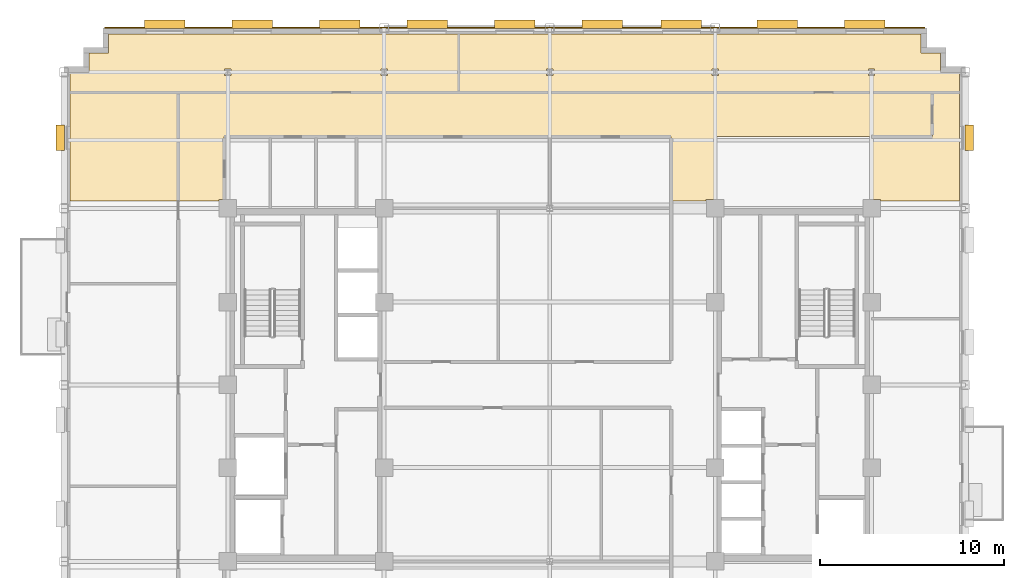
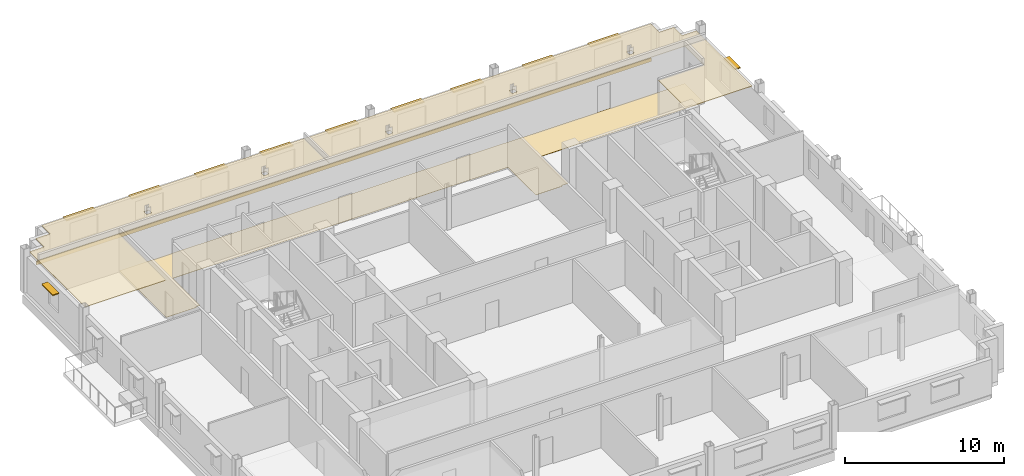
# One storey, part 15 of 15: 11 shading devices, 6 coverings.
"""IFC4 building model written with IfcOpenShell, lengths in metres."""

import ifcopenshell
import ifcopenshell.guid

model = None  # the IFC model being written
_history = None  # IfcOwnerHistory: only IFC2X3 demands one
_inside = {}  # id of a spatial element -> (the spatial element, [elements in it])
_under = {}  # id of a project, library or spatial element -> (it, [spatial elements below it])
_declared = {}  # id of a project -> (the project, [libraries it declares])
_typed = {}  # id of a type object -> (the type object, [elements of that type])
_made_of = {}  # id of a material, layer set ... -> (it, [elements and type objects made of it])


def new_model(schema):
    """Start an empty IFC model of exactly this schema.

    Asked for "IFC4X3", IfcOpenShell would pick the latest addendum, in which some entities
    have other attributes; the version numbers below select the first issue.
    IFC2X3 requires an IfcOwnerHistory on every rooted entity: one is made here for all.
    """
    global model, _history
    if schema == "IFC4X3":
        model = ifcopenshell.file(schema_version=(4, 3, 0, 0))
    else:
        model = ifcopenshell.file(schema=schema)
    _inside.clear()
    _under.clear()
    _declared.clear()
    _typed.clear()
    _made_of.clear()
    _history = None
    if model.schema == "IFC2X3":
        org = make("IfcOrganization", Name="unknown")
        user = make(
            "IfcPersonAndOrganization",
            ThePerson=make("IfcPerson", FamilyName="unknown"),
            TheOrganization=org,
        )
        app = make(
            "IfcApplication",
            ApplicationDeveloper=org,
            Version="unknown",
            ApplicationFullName="unknown",
            ApplicationIdentifier="unknown",
        )
        _history = make(
            "IfcOwnerHistory",
            OwningUser=user,
            OwningApplication=app,
            ChangeAction="ADDED",
            CreationDate=0,
        )
    return model


def make(cls, **values):
    """One entity of the class cls with the attributes given. An attribute that is None is left unset."""
    return model.create_entity(
        cls, **{name: value for name, value in values.items() if value is not None}
    )


def rooted(cls, **values):
    """An entity with a GlobalId (a new one), such as an element, a storey or a relation."""
    return make(cls, GlobalId=ifcopenshell.guid.new(), OwnerHistory=_history, **values)


def si_unit(unit_type, name, prefix=None):
    """IfcSIUnit, for example si_unit("LENGTHUNIT", "METRE", prefix="MILLI")."""
    return make("IfcSIUnit", UnitType=unit_type, Prefix=prefix, Name=name)


def assignment(units):
    """IfcUnitAssignment: the units of a project."""
    return None if units is None else make("IfcUnitAssignment", Units=units)


def point(xyz):
    """IfcCartesianPoint."""
    return None if xyz is None else make("IfcCartesianPoint", Coordinates=xyz)


def direction(xyz):
    """IfcDirection."""
    return None if xyz is None else make("IfcDirection", DirectionRatios=xyz)


def frame(location, z_axis=None, x_axis=None):
    """IfcAxis2Placement3D, a coordinate frame: its origin and axes. An axis left out is left unset."""
    return make(
        "IfcAxis2Placement3D",
        Location=point(location),
        Axis=direction(z_axis),
        RefDirection=direction(x_axis),
    )


def frame_2d(location, x_axis=None):
    """IfcAxis2Placement2D, a coordinate frame in the plane: its origin and x axis."""
    return make(
        "IfcAxis2Placement2D", Location=point(location), RefDirection=direction(x_axis)
    )


def origin():
    """The frame at (0, 0, 0) with its axes left unset."""
    return frame((0.0, 0.0, 0.0))


def origin_2d():
    """The frame at (0, 0) in the plane with its x axis left unset."""
    return frame_2d((0.0, 0.0))


def place(relative_to, where):
    """IfcLocalPlacement: puts the frame where relative to a parent placement (None: the world)."""
    return make(
        "IfcLocalPlacement", PlacementRelTo=relative_to, RelativePlacement=where
    )


def context(
    kind, dimensions, precision=None, world=None, true_north=None, identifier=None
):
    """IfcGeometricRepresentationContext, for example the 3D "Model" context."""
    return make(
        "IfcGeometricRepresentationContext",
        ContextIdentifier=identifier,
        ContextType=kind,
        CoordinateSpaceDimension=dimensions,
        Precision=precision,
        WorldCoordinateSystem=world,
        TrueNorth=true_north,
    )


def subcontext(parent, identifier, kind, view, scale=None):
    """IfcGeometricRepresentationSubContext, for example "Body" below "Model"."""
    return make(
        "IfcGeometricRepresentationSubContext",
        ContextIdentifier=identifier,
        ContextType=kind,
        ParentContext=parent,
        TargetScale=scale,
        TargetView=view,
    )


def project(units=None, contexts=None):
    """IfcProject with its units and contexts."""
    return rooted(
        "IfcProject",
        Name="project",
        RepresentationContexts=contexts,
        UnitsInContext=assignment(units),
    )


def spatial(cls, under=None, at=None, **own):
    """A site, building, storey or space (cls), placed at a placement, below another one or the project."""
    s = rooted(cls, ObjectPlacement=at, **own)
    if under is not None:
        _under.setdefault(under.id(), (under, []))[1].append(s)
    return s


def polyline(points):
    """IfcPolyline through the points."""
    return make("IfcPolyline", Points=[point(p) for p in points])


def profile(cls, at=None, kind="AREA", **sizes):
    """A parametric profile (cls). Its sizes go by their IFC names, for example OverallWidth=200.0."""
    return make(cls, ProfileType=kind, Position=at, **sizes)


def rectangle(**sizes):
    """IfcRectangleProfileDef."""
    return profile("IfcRectangleProfileDef", **sizes)


def outline(outer, holes=None, kind="AREA"):
    """IfcArbitraryClosedProfileDef: a profile drawn as a closed curve; with holes, ...WithVoids."""
    if holes is None:
        return make("IfcArbitraryClosedProfileDef", ProfileType=kind, OuterCurve=outer)
    return make(
        "IfcArbitraryProfileDefWithVoids",
        ProfileType=kind,
        OuterCurve=outer,
        InnerCurves=holes,
    )


def extrude(swept, where, along, depth):
    """IfcExtrudedAreaSolid: the profile swept, set in the frame where, extruded along a direction by depth."""
    return make(
        "IfcExtrudedAreaSolid",
        SweptArea=swept,
        Position=where,
        ExtrudedDirection=direction(along),
        Depth=depth,
    )


def shape(context_of_items, identifier, shape_type, items):
    """IfcShapeRepresentation: the items that make up one representation, for example the "Body"."""
    return make(
        "IfcShapeRepresentation",
        ContextOfItems=context_of_items,
        RepresentationIdentifier=identifier,
        RepresentationType=shape_type,
        Items=items,
    )


def source(mapping_origin, context_of_items, identifier, shape_type, items):
    """IfcRepresentationMap: a shape defined once, which mapped items show again and again."""
    return make(
        "IfcRepresentationMap",
        MappingOrigin=mapping_origin,
        MappedRepresentation=shape(context_of_items, identifier, shape_type, items),
    )


def transform(
    local_origin,
    x_axis=None,
    y_axis=None,
    z_axis=None,
    scale=None,
    scale2=None,
    scale3=None,
    uniform=True,
):
    """IfcCartesianTransformationOperator3D, or its non-uniform kind. x_axis, y_axis, z_axis: its Axis1, 2, 3."""
    if uniform:
        return make(
            "IfcCartesianTransformationOperator3D",
            Axis1=direction(x_axis),
            Axis2=direction(y_axis),
            LocalOrigin=point(local_origin),
            Scale=scale,
            Axis3=direction(z_axis),
        )
    return make(
        "IfcCartesianTransformationOperator3DnonUniform",
        Axis1=direction(x_axis),
        Axis2=direction(y_axis),
        LocalOrigin=point(local_origin),
        Scale=scale,
        Axis3=direction(z_axis),
        Scale2=scale2,
        Scale3=scale3,
    )


def mapped(mapping_source, mapping_target):
    """IfcMappedItem: shows the shape of a source again, moved by a transform."""
    return make(
        "IfcMappedItem", MappingSource=mapping_source, MappingTarget=mapping_target
    )


def material(Name=None, Category=None):
    """IfcMaterial."""
    return make("IfcMaterial", Name=Name, Category=Category)


def layer(
    of_material, thickness, ventilated=None, Name=None, Category=None, Priority=None
):
    """IfcMaterialLayer: one layer of a wall or slab, of a material (None: an air gap)."""
    return make(
        "IfcMaterialLayer",
        Material=of_material,
        LayerThickness=thickness,
        IsVentilated=ventilated,
        Name=Name,
        Category=Category,
        Priority=Priority,
    )


def layer_set(layers, Name=None):
    """IfcMaterialLayerSet."""
    return make("IfcMaterialLayerSet", MaterialLayers=layers, LayerSetName=Name)


def made_of(thing, what):
    """Note that an element or type object is made of a material, layer set ...; save() writes the relation."""
    if what is not None:
        _made_of.setdefault(what.id(), (what, []))[1].append(thing)
    return thing


def type_object(cls, material=None, **own):
    """A type object (cls), such as IfcWallType, which elements share."""
    return made_of(rooted(cls, **own), material)


def type_shapes(of_type, sources):
    """Give a type object the sources (RepresentationMaps) that its elements show as mapped items."""
    of_type.RepresentationMaps = sources


def element(
    cls,
    number,
    at=None,
    inside=None,
    cuts=None,
    type_object=None,
    material=None,
    context=None,
    identifier="Body",
    shape_type=None,
    held_by="IfcProductDefinitionShape",
    body=None,
    shapes=None,
    **own,
):
    """One element of the class cls, such as IfcWall. Its Tag is "e" and its number.

    at: its placement. inside: the storey or other place that contains it. cuts: it is an
    opening in that element (IfcRelVoidsElement). A single representation is given by context,
    identifier, shape_type and body (its items); several are given by shapes. held_by: the class
    of the entity that holds the representations. save() writes the other relations.
    """
    e = rooted(cls, Tag="e%d" % number, ObjectPlacement=at, **own)
    if body is not None:
        shapes = [shape(context, identifier, shape_type, body)]
    if shapes is not None:
        e.Representation = make(held_by, Representations=shapes)
    if inside is not None:
        _inside.setdefault(inside.id(), (inside, []))[1].append(e)
    if cuts is not None:
        rooted(
            "IfcRelVoidsElement", RelatingBuildingElement=cuts, RelatedOpeningElement=e
        )
    if type_object is not None:
        _typed.setdefault(type_object.id(), (type_object, []))[1].append(e)
    return made_of(e, material)


def aggregate(whole, parts):
    """IfcRelAggregates: a whole, such as a stair, and the parts it consists of."""
    return rooted("IfcRelAggregates", RelatingObject=whole, RelatedObjects=parts)


def save(model, path):
    """Write the relations noted so far, then the file.

    IfcRelAggregates (storeys below a building ...), IfcRelContainedInSpatialStructure (elements
    in a storey), IfcRelDefinesByType, IfcRelAssociatesMaterial and IfcRelDeclares: one each for
    every whole, place, type object, material and project.
    """
    for whole, parts in _under.values():
        aggregate(whole, parts)
    for where, things in _inside.values():
        rooted(
            "IfcRelContainedInSpatialStructure",
            RelatedElements=things,
            RelatingStructure=where,
        )
    for kind, things in _typed.values():
        rooted("IfcRelDefinesByType", RelatedObjects=things, RelatingType=kind)
    for what, things in _made_of.values():
        rooted("IfcRelAssociatesMaterial", RelatedObjects=things, RelatingMaterial=what)
    for by, libraries in _declared.values():
        rooted("IfcRelDeclares", RelatingContext=by, RelatedDefinitions=libraries)
    model.write(path)


model = new_model("IFC4")

# Units and contexts
model_context = context("Model", 3, precision=1e-05, world=origin(), true_north=direction((0.0, 1.0)))
body_context = subcontext(model_context, "Body", "Model", "MODEL_VIEW")
ifc_project = project(units=[si_unit("LENGTHUNIT", "METRE"), si_unit("AREAUNIT", "SQUARE_METRE"), si_unit("VOLUMEUNIT", "CUBIC_METRE"), si_unit("PLANEANGLEUNIT", "RADIAN"), si_unit("MASSUNIT", "GRAM", prefix="KILO")], contexts=[model_context])

# Site, building, storey
site_placement = place(None, origin())
site = spatial("IfcSite", under=ifc_project, at=site_placement, CompositionType="ELEMENT")
building_placement = place(site_placement, origin())
building = spatial("IfcBuilding", under=site, at=building_placement, Name="Nuvemarco Arch Tower", CompositionType="ELEMENT")
storey_placement = place(building_placement, frame((0.0, 0.0, 190.89990234375)))
storey = spatial("IfcBuildingStorey", under=building, at=storey_placement, Name="L50", CompositionType="ELEMENT", Elevation=190.89990234375)

# Coverings
ifc_material_1 = material(Name="Mineral acoustic ceiling tile")
ifc_layer_1 = layer(ifc_material_1, 0.0400390625, Name="COV-ACOUSTIC-CLG")
ifc_layer_set_1 = layer_set([ifc_layer_1], Name="Mineral acoustic ceiling tile")
covering_type_1 = type_object("IfcCoveringType", Name="COV-ACOUSTIC-CLG", PredefinedType="CEILING", material=ifc_layer_set_1)
covering_1_placement = place(storey_placement, frame((0.0, 0.0, 2.85009765625)))
element("IfcCovering", 1, at=covering_1_placement, inside=storey, type_object=covering_type_1, Name="L50 suspended acoustic ceiling 3", PredefinedType="CEILING", context=body_context, shape_type="SweptSolid", body=[
    extrude(outline(polyline([(22.2900390625, 16.989990234375), (22.2900390625, 15.89990234375), (20.800048828125, 15.89990234375), (9.0, 15.89990234375), (6.60009765625, 15.89990234375), (-4.93994140625, 15.89990234375), (-4.93994140625, 19.090087890625), (20.18994140625, 19.090087890625), (20.18994140625, 18.0400390625), (21.239990234375, 18.0400390625), (21.239990234375, 16.989990234375), (22.2900390625, 16.989990234375)]), holes=[polyline([(0.169921875, 16.830078125), (0.169921875, 17.169921875), (-0.169921875, 17.169921875), (-0.169921875, 16.830078125), (0.169921875, 16.830078125)]), polyline([(9.169921875, 17.169921875), (8.830078125, 17.169921875), (8.830078125, 16.830078125), (9.169921875, 16.830078125), (9.169921875, 17.169921875)]), polyline([(17.669921875, 16.830078125), (17.669921875, 17.169921875), (17.330078125, 17.169921875), (17.330078125, 16.830078125), (17.669921875, 16.830078125)])]), origin(), (0.0, 0.0, 1.0), 0.0400390625),
])
covering_2_placement = place(storey_placement, frame((0.0, 0.0, 2.85009765625)))
element("IfcCovering", 2, at=covering_2_placement, inside=storey, type_object=covering_type_1, Name="L50 suspended acoustic ceiling 5", PredefinedType="CEILING", context=body_context, shape_type="SweptSolid", body=[
    extrude(outline(polyline([(-25.0400390625, 16.989990234375), (-25.0400390625, 18.0400390625), (-23.989990234375, 18.0400390625), (-23.989990234375, 19.090087890625), (-4.93994140625, 19.090087890625), (-4.93994140625, 15.89990234375), (-17.699951171875, 15.89990234375), (-20.199951171875, 15.89990234375), (-26.090087890625, 15.89990234375), (-26.090087890625, 16.989990234375), (-25.0400390625, 16.989990234375)]), holes=[polyline([(-17.330078125, 16.830078125), (-17.330078125, 17.169921875), (-17.669921875, 17.169921875), (-17.669921875, 16.830078125), (-17.330078125, 16.830078125)]), polyline([(-8.830078125, 16.830078125), (-8.830078125, 17.169921875), (-9.169921875, 17.169921875), (-9.169921875, 16.830078125), (-8.830078125, 16.830078125)])]), origin(), (0.0, 0.0, 1.0), 0.0400390625),
])
covering_3_placement = place(storey_placement, frame((0.0, 0.0, 2.85009765625)))
element("IfcCovering", 3, at=covering_3_placement, inside=storey, type_object=covering_type_1, Name="L50 suspended acoustic ceiling 7", PredefinedType="CEILING", context=body_context, shape_type="SweptSolid", body=[
    extrude(outline(polyline([(-20.199951171875, 10.0), (-26.090087890625, 10.0), (-26.090087890625, 15.89990234375), (-20.199951171875, 15.89990234375), (-20.199951171875, 13.5), (-20.199951171875, 10.0)])), origin(), (0.0, 0.0, 1.0), 0.0400390625),
])
covering_4_placement = place(storey_placement, frame((0.0, 0.0, 2.85009765625)))
element("IfcCovering", 4, at=covering_4_placement, inside=storey, type_object=covering_type_1, Name="L50 suspended acoustic ceiling 9", PredefinedType="CEILING", context=body_context, shape_type="SweptSolid", body=[
    extrude(outline(polyline([(17.989990234375, 10.090087890625), (17.5, 10.090087890625), (17.5, 13.5), (20.800048828125, 13.5), (20.800048828125, 15.89990234375), (22.2900390625, 15.89990234375), (22.2900390625, 10.0), (17.989990234375, 10.0), (17.989990234375, 10.090087890625)])), origin(), (0.0, 0.0, 1.0), 0.0400390625),
])
ifc_material_2 = material(Name="Polished granite terrazzostone flooring", Category="masonry")
ifc_layer_2 = layer(ifc_material_2, 0.02001953125, Name="COV-LOBBY-FLR")
ifc_layer_set_2 = layer_set([ifc_layer_2], Name="Polished granite terrazzostone flooring")
covering_type_2 = type_object("IfcCoveringType", Name="COV-LOBBY-FLR", PredefinedType="FLOORING", material=ifc_layer_set_2)
covering_5_placement = place(storey_placement, origin())
element("IfcCovering", 5, at=covering_5_placement, inside=storey, type_object=covering_type_2, Name="L50 polished terrazzo lobby flooring", PredefinedType="FLOORING", context=body_context, shape_type="SweptSolid", body=[
    extrude(outline(polyline([(-20.199951171875, 13.5), (-20.199951171875, 15.89990234375), (-17.699951171875, 15.89990234375), (6.60009765625, 15.89990234375), (9.0, 15.89990234375), (20.800048828125, 15.89990234375), (20.800048828125, 13.5), (9.0, 13.5), (9.0, 10.090087890625), (8.510009765625, 10.090087890625), (8.510009765625, 10.0), (6.60009765625, 10.0), (6.60009765625, 13.5), (-17.699951171875, 13.5), (-17.699951171875, 10.090087890625), (-17.989990234375, 10.090087890625), (-17.989990234375, 10.0), (-20.199951171875, 10.0), (-20.199951171875, 13.5)])), origin(), (0.0, 0.0, 1.0), 0.02001953125),
])

# Shading devices
ifc_material_3 = material(Name="Anodised aluminium 6063-T6", Category="aluminium")
shading_device_type_1 = type_object("IfcShadingDeviceType", Name="SHD-BRISE-SOLEIL", PredefinedType="USERDEFINED", material=ifc_material_3)
shared_shape_1 = source(origin(), body_context, "Body", "SweptSolid", [
    extrude(rectangle(XDim=2.199951171875, YDim=0.449951171875, at=origin_2d()), origin(), (0.0, 0.0, 1.0), 0.080078125),
])
type_shapes(shading_device_type_1, [shared_shape_1])
for number, where, z_axis, x_axis, name in (
    (6, (-20.922119140625, 19.614990234375, 2.324951171875), (0.0, 0.0, 1.0), (1.0, 0.0, 0.0), "L50 horizontal brise-soleil sunshade"),
    (7, (-16.166748046875, 19.614990234375, 2.324951171875), (0.0, 0.0, 1.0), (1.0, 0.0, 0.0), "L50 horizontal brise-soleil sunshade"),
    (8, (-11.4111328125, 19.614990234375, 2.324951171875), (0.0, 0.0, 1.0), (1.0, 0.0, 0.0), "L50 horizontal brise-soleil sunshade"),
    (9, (-6.655517578125, 19.614990234375, 2.324951171875), (0.0, 0.0, 1.0), (1.0, 0.0, 0.0), "L50 horizontal brise-soleil sunshade"),
    (10, (-1.89990234375, 19.614990234375, 2.324951171875), (0.0, 0.0, 1.0), (1.0, 0.0, 0.0), "L50 horizontal brise-soleil sunshade"),
    (11, (2.855712890625, 19.614990234375, 2.324951171875), (0.0, 0.0, 1.0), (1.0, 0.0, 0.0), "L50 horizontal brise-soleil sunshade"),
    (12, (7.1611328125, 19.614990234375, 2.324951171875), (0.0, 0.0, 1.0), (1.0, 0.0, 0.0), "L50 horizontal brise-soleil sunshade"),
    (13, (12.36669921875, 19.614990234375, 2.324951171875), (0.0, 0.0, 1.0), (1.0, 0.0, 0.0), "L50 horizontal brise-soleil sunshade"),
    (14, (17.122314453125, 19.614990234375, 2.324951171875), (0.0, 0.0, 1.0), (1.0, 0.0, 0.0), "L50 horizontal brise-soleil sunshade"),
):
    element("IfcShadingDevice", number, at=place(storey_placement, frame(where, z_axis=z_axis, x_axis=x_axis)), inside=storey, type_object=shading_device_type_1, Name=name, ObjectType="SUNSHADE", PredefinedType="USERDEFINED", context=body_context, shape_type="MappedRepresentation", body=[
        mapped(shared_shape_1, transform((0.0, 0.0, 0.0), scale=1.0)),
    ])
shading_device_type_2 = type_object("IfcShadingDeviceType", Name="SHD-BRISE-NARROW", PredefinedType="USERDEFINED", material=ifc_material_3)
shared_shape_2 = source(origin(), body_context, "Body", "SweptSolid", [
    extrude(rectangle(XDim=1.39990234375, YDim=0.449951171875, at=origin_2d()), origin(), (0.0, 0.0, 1.0), 0.080078125),
])
type_shapes(shading_device_type_2, [shared_shape_2])
for number, where, z_axis, x_axis, name in (
    (15, (22.81494140625, 13.437744140625, 2.324951171875), (0.0, 0.0, 1.0), (0.0, 1.0, 0.0), "L50 horizontal brise-soleil sunshade"),
    (16, (-26.614990234375, 13.437744140625, 2.324951171875), (0.0, 0.0, 1.0), (0.0, 1.0, 0.0), "L50 horizontal brise-soleil sunshade"),
):
    element("IfcShadingDevice", number, at=place(storey_placement, frame(where, z_axis=z_axis, x_axis=x_axis)), inside=storey, type_object=shading_device_type_2, Name=name, ObjectType="SUNSHADE", PredefinedType="USERDEFINED", context=body_context, shape_type="MappedRepresentation", body=[
        mapped(shared_shape_2, transform((0.0, 0.0, 0.0), scale=1.0)),
    ])

# Covering
ifc_material_4 = material(Name="Precast concrete C45/55", Category="concrete")
ifc_layer_3 = layer(ifc_material_4, 0.06005859375, Name="COV-SPANDREL-CLAD")
ifc_layer_set_3 = layer_set([ifc_layer_3], Name="Precast concrete C45/55")
covering_type_3 = type_object("IfcCoveringType", Name="COV-SPANDREL-CLAD", PredefinedType="CLADDING", material=ifc_layer_set_3)
shared_shape_3 = source(origin(), body_context, "Body", "SweptSolid", [
    extrude(rectangle(XDim=44.60009765625, YDim=0.06005859375, at=origin_2d()), origin(), (0.0, 0.0, 1.0), 0.280029296875),
])
type_shapes(covering_type_3, [shared_shape_3])
covering_6_placement = place(storey_placement, frame((-1.89990234375, 19.428955078125, -0.27978515625), z_axis=(0.0, 0.0, 1.0), x_axis=(1.0, 0.0, 0.0)))
element("IfcCovering", 17, at=covering_6_placement, inside=storey, type_object=covering_type_3, Name="L50 precast spandrel edge cladding north", PredefinedType="CLADDING", context=body_context, shape_type="MappedRepresentation", body=[
    mapped(shared_shape_3, transform((0.0, 0.0, 0.0), scale=1.0)),
])

save(model, "model.ifc")
